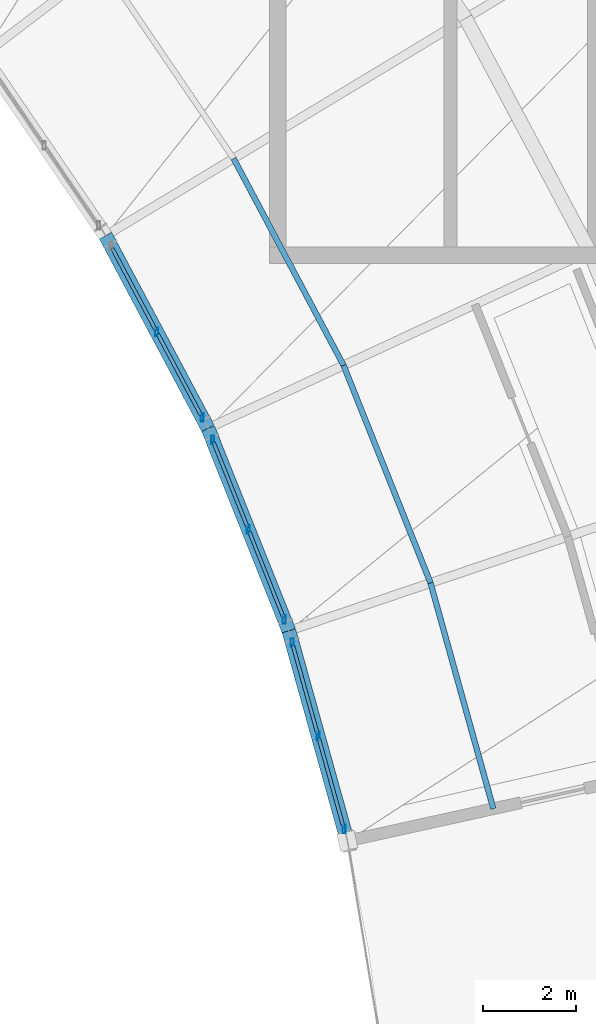
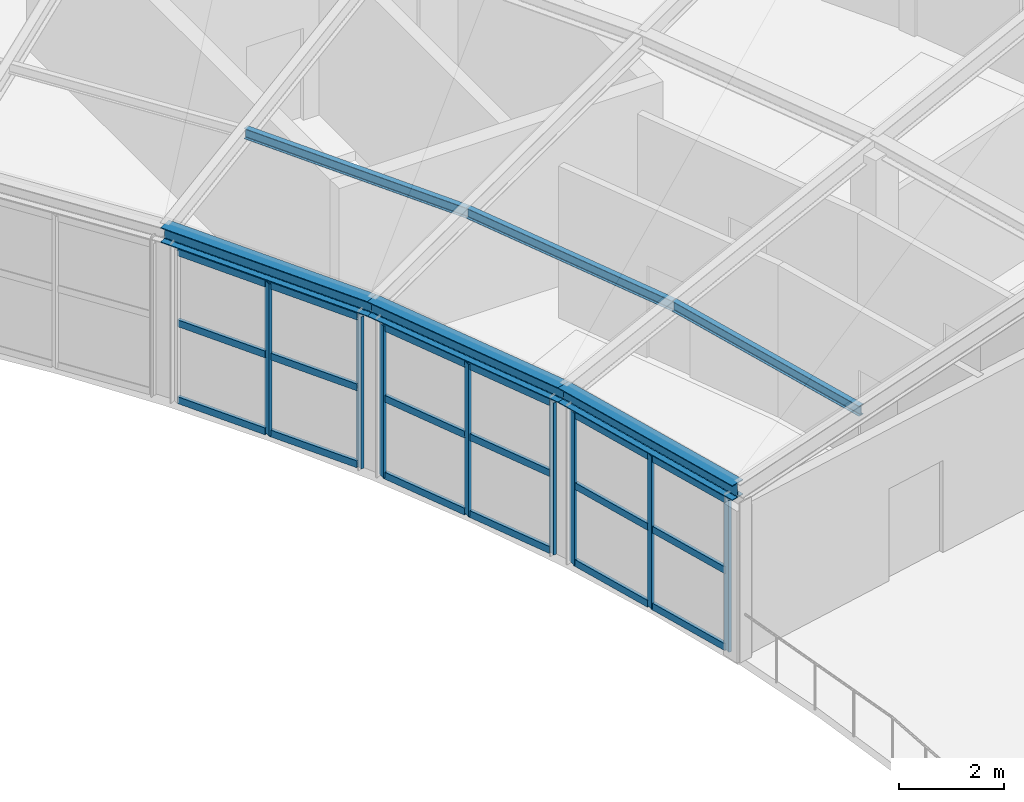
# One storey, part 12 of 36: 29 members, 3 beams, 3 elements without a shape of their own.
"""IFC4 building model written with IfcOpenShell, lengths in metres."""

from ifc_helpers import new_model, si_unit, direction, frame, origin, origin_2d, place, context, subcontext, project, spatial, hollow_rectangle, i_section, extrude, material, material_profile, profile_set, type_object, element, aggregate, save


model = new_model("IFC4")

# Units and contexts
model_context = context("Model", 3, precision=1e-05, world=origin(), true_north=direction((0.0, 1.0)))
body_context = subcontext(model_context, "Body", "Model", "MODEL_VIEW")
ifc_project = project(units=[si_unit("LENGTHUNIT", "METRE"), si_unit("AREAUNIT", "SQUARE_METRE"), si_unit("VOLUMEUNIT", "CUBIC_METRE"), si_unit("PLANEANGLEUNIT", "RADIAN"), si_unit("MASSUNIT", "GRAM", prefix="KILO")], contexts=[model_context])

# Site, building, storey
site_placement = place(None, origin())
site = spatial("IfcSite", under=ifc_project, at=site_placement, CompositionType="ELEMENT")
building_placement = place(site_placement, origin())
building = spatial("IfcBuilding", under=site, at=building_placement, Name="Tarnveldt Headland Concert Hall", CompositionType="ELEMENT")
storey_placement = place(building_placement, frame((0.0, 0.0, 22.800048828125)))
storey = spatial("IfcBuildingStorey", under=building, at=storey_placement, Name="L05", CompositionType="ELEMENT", Elevation=22.800048828125)

# Curtain wall, members
ifc_material_1 = material(Name="Marine-anodised aluminium EN AW-6063-T6", Category="aluminium")
curtain_wall_type = type_object("IfcCurtainWallType", Name="CW-C6", PredefinedType="NOTDEFINED", material=ifc_material_1)
curtain_wall_1_placement = place(storey_placement, origin())
curtain_wall_1 = element("IfcCurtainWall", 1, at=curtain_wall_1_placement, inside=storey, type_object=curtain_wall_type, Name="Curtain wall CW-L05-156", PredefinedType="NOTDEFINED")
ifc_material_profile_1 = material_profile(ifc_material_1, hollow_rectangle(XDim=0.06494140625, YDim=0.179931640625, WallThickness=0.00390625, at=origin_2d()), Name="ALU MULLION 65x180x4", Category="aluminium")
ifc_profile_set_1 = profile_set([ifc_material_profile_1], Name="Marine-anodised aluminium EN AW-6063-T6")
member_type_1 = type_object("IfcMemberType", Name="ML-180", PredefinedType="MULLION", material=ifc_profile_set_1)
member_1_placement = place(storey_placement, frame((159.418701171875, 69.521484375, 0.0), z_axis=(0.0, 0.0, 1.0), x_axis=(1.0, 0.0, 0.0)))
member_1 = element("IfcMember", 2, at=member_1_placement, type_object=member_type_1, Name="Mullion CW-L05-156-1", PredefinedType="MULLION", context=body_context, shape_type="SweptSolid", body=[
    extrude(hollow_rectangle(XDim=0.06494140625, YDim=0.179931640625, WallThickness=0.00390625, at=origin_2d()), origin(), (0.0, 0.0, 1.0), 3.550048828125),
])
member_2_placement = place(storey_placement, frame((158.864013671875, 71.514404296875, 0.0), z_axis=(0.0, 0.0, 1.0), x_axis=(1.0, 0.0, 0.0)))
member_2 = element("IfcMember", 3, at=member_2_placement, type_object=member_type_1, Name="Mullion CW-L05-156-2", PredefinedType="MULLION", context=body_context, shape_type="SweptSolid", body=[
    extrude(hollow_rectangle(XDim=0.06494140625, YDim=0.179931640625, WallThickness=0.00390625, at=origin_2d()), origin(), (0.0, 0.0, 1.0), 3.550048828125),
])
member_3_placement = place(storey_placement, frame((158.30908203125, 73.50732421875, 0.0), z_axis=(0.0, 0.0, 1.0), x_axis=(1.0, 0.0, 0.0)))
member_3 = element("IfcMember", 4, at=member_3_placement, type_object=member_type_1, Name="Mullion CW-L05-156-3", PredefinedType="MULLION", context=body_context, shape_type="SweptSolid", body=[
    extrude(hollow_rectangle(XDim=0.06494140625, YDim=0.179931640625, WallThickness=0.00390625, at=origin_2d()), origin(), (0.0, 0.0, 1.0), 3.550048828125),
])

curtain_wall_2_placement = place(storey_placement, origin())
curtain_wall_2 = element("IfcCurtainWall", 5, at=curtain_wall_2_placement, inside=storey, type_object=curtain_wall_type, Name="Curtain wall CW-L05-157", PredefinedType="NOTDEFINED")
member_4_placement = place(storey_placement, frame((158.139892578125, 74.0087890625, 0.0), z_axis=(0.0, 0.0, 1.0), x_axis=(1.0, 0.0, 0.0)))
member_4 = element("IfcMember", 6, at=member_4_placement, type_object=member_type_1, Name="Mullion CW-L05-157-1", PredefinedType="MULLION", context=body_context, shape_type="SweptSolid", body=[
    extrude(hollow_rectangle(XDim=0.06494140625, YDim=0.179931640625, WallThickness=0.00390625, at=origin_2d()), origin(), (0.0, 0.0, 1.0), 3.550048828125),
])
member_5_placement = place(storey_placement, frame((157.372314453125, 75.9296875, 0.0), z_axis=(0.0, 0.0, 1.0), x_axis=(1.0, 0.0, 0.0)))
member_5 = element("IfcMember", 7, at=member_5_placement, type_object=member_type_1, Name="Mullion CW-L05-157-2", PredefinedType="MULLION", context=body_context, shape_type="SweptSolid", body=[
    extrude(hollow_rectangle(XDim=0.06494140625, YDim=0.179931640625, WallThickness=0.00390625, at=origin_2d()), origin(), (0.0, 0.0, 1.0), 3.550048828125),
])
member_6_placement = place(storey_placement, frame((156.604736328125, 77.850830078125, 0.0), z_axis=(0.0, 0.0, 1.0), x_axis=(1.0, 0.0, 0.0)))
member_6 = element("IfcMember", 8, at=member_6_placement, type_object=member_type_1, Name="Mullion CW-L05-157-3", PredefinedType="MULLION", context=body_context, shape_type="SweptSolid", body=[
    extrude(hollow_rectangle(XDim=0.06494140625, YDim=0.179931640625, WallThickness=0.00390625, at=origin_2d()), origin(), (0.0, 0.0, 1.0), 3.550048828125),
])

curtain_wall_3_placement = place(storey_placement, origin())
curtain_wall_3 = element("IfcCurtainWall", 9, at=curtain_wall_3_placement, inside=storey, type_object=curtain_wall_type, Name="Curtain wall CW-L05-158", PredefinedType="NOTDEFINED")
member_7_placement = place(storey_placement, frame((156.382080078125, 78.3310546875, 0.0), z_axis=(0.0, 0.0, 1.0), x_axis=(1.0, 0.0, 0.0)))
member_7 = element("IfcMember", 10, at=member_7_placement, type_object=member_type_1, Name="Mullion CW-L05-158-1", PredefinedType="MULLION", context=body_context, shape_type="SweptSolid", body=[
    extrude(hollow_rectangle(XDim=0.06494140625, YDim=0.179931640625, WallThickness=0.00390625, at=origin_2d()), origin(), (0.0, 0.0, 1.0), 3.550048828125),
])
member_8_placement = place(storey_placement, frame((155.410888671875, 80.15771484375, 0.0), z_axis=(0.0, 0.0, 1.0), x_axis=(1.0, 0.0, 0.0)))
member_8 = element("IfcMember", 11, at=member_8_placement, type_object=member_type_1, Name="Mullion CW-L05-158-2", PredefinedType="MULLION", context=body_context, shape_type="SweptSolid", body=[
    extrude(hollow_rectangle(XDim=0.06494140625, YDim=0.179931640625, WallThickness=0.00390625, at=origin_2d()), origin(), (0.0, 0.0, 1.0), 3.550048828125),
])

# Members
ifc_material_2 = material(Name="Steel S355", Category="steel")
ifc_material_profile_2 = material_profile(ifc_material_2, i_section(OverallWidth=0.1201171875, OverallDepth=0.239990234375, WebThickness=0.006103515625, FlangeThickness=0.009765625, FilletRadius=0.014892578125, at=origin_2d()), Name="IPE240", Category="steel")
ifc_profile_set_2 = profile_set([ifc_material_profile_2], Name="Steel S355")
member_type_2 = type_object("IfcMemberType", Name="PR-IPE240", PredefinedType="PURLIN", material=ifc_profile_set_2)
for number, where, z_axis, x_axis, name in (
    (12, (162.614501953125, 69.955810546875, 4.2080078125), (-0.268156062951, 0.963375485417, 0.0), (-0.963375485417, -0.268156062951, 0.0), "Crescent roof purlin 11-46"),
    (13, (161.269775390625, 74.786865234375, 4.2080078125), (-0.371029706488, 0.928620997449, 0.0), (-0.928620997449, -0.371029706488, 0.0), "Crescent roof purlin 12-46"),
):
    element("IfcMember", number, at=place(storey_placement, frame(where, z_axis=z_axis, x_axis=x_axis)), inside=storey, type_object=member_type_2, Name=name, PredefinedType="PURLIN", context=body_context, shape_type="SweptSolid", body=[
        extrude(i_section(OverallWidth=0.1201171875, OverallDepth=0.239990234375, WebThickness=0.006103515625, FlangeThickness=0.009765625, FilletRadius=0.014892578125, at=origin_2d()), origin(), (0.0, 0.0, 1.0), 5.0146484375),
    ])
member_9_placement = place(storey_placement, frame((159.4091796875, 79.443603515625, 4.2080078125), z_axis=(-0.469448260958, 0.882959982266, 0.0), x_axis=(-0.882959982266, -0.469448260958, 0.0)))
element("IfcMember", 14, at=member_9_placement, inside=storey, type_object=member_type_2, Name="Crescent roof purlin 13-46", PredefinedType="PURLIN", context=body_context, shape_type="SweptSolid", body=[
    extrude(i_section(OverallWidth=0.1201171875, OverallDepth=0.239990234375, WebThickness=0.006103515625, FlangeThickness=0.009765625, FilletRadius=0.014892578125, at=origin_2d()), origin(), (0.0, 0.0, 1.0), 5.014892578125),
])

# Beams
ifc_material_profile_3 = material_profile(ifc_material_2, i_section(OverallWidth=0.300048828125, OverallDepth=0.35009765625, WebThickness=0.010009765625, FlangeThickness=0.017578125, FilletRadius=0.027099609375, at=origin_2d()), Name="HEA360", Category="steel")
ifc_profile_set_3 = profile_set([ifc_material_profile_3], Name="Steel S355")
beam_type = type_object("IfcBeamType", Name="SB-HEA360", PredefinedType="SPANDREL", material=ifc_profile_set_3)
for number, where, z_axis, x_axis, name in (
    (15, (159.48974609375, 69.26611328125, 3.85498046875), (-0.268172578135, 0.963370888255, 0.0), (-0.963370888255, -0.268172578135, 0.0), "Crescent L05 IN eaves girder 11"),
    (16, (158.238037109375, 73.7626953125, 3.85498046875), (-0.371020883216, 0.928624522731, 0.0), (-0.928624522731, -0.371020883216, 0.0), "Crescent L05 IN eaves girder 12"),
    (17, (156.50634765625, 78.096923828125, 3.85498046875), (-0.469461155726, 0.882953126312, 0.0), (-0.882953126312, -0.469461155726, 0.0), "Crescent L05 IN eaves girder 13"),
):
    element("IfcBeam", number, at=place(storey_placement, frame(where, z_axis=z_axis, x_axis=x_axis)), inside=storey, type_object=beam_type, Name=name, PredefinedType="SPANDREL", context=body_context, shape_type="SweptSolid", body=[
        extrude(i_section(OverallWidth=0.300048828125, OverallDepth=0.35009765625, WebThickness=0.010009765625, FlangeThickness=0.017578125, FilletRadius=0.027099609375, at=origin_2d()), origin(), (0.0, 0.0, 1.0), 4.66748046875),
    ])

# Member
ifc_material_profile_4 = material_profile(ifc_material_1, hollow_rectangle(XDim=0.074951171875, YDim=0.159912109375, WallThickness=0.00390625, at=origin_2d()), Name="ALU TRANSOM 75x160x4", Category="aluminium")
ifc_profile_set_4 = profile_set([ifc_material_profile_4], Name="Marine-anodised aluminium EN AW-6063-T6")
member_type_3 = type_object("IfcMemberType", Name="TR-160", PredefinedType="MEMBER", material=ifc_profile_set_4)
member_10_placement = place(storey_placement, frame((159.40673828125, 69.564453125, 0.050048828125), z_axis=(-0.268216237335, 0.963358733821, 0.0), x_axis=(-0.963358733821, -0.268216237335, 0.0)))
member_10 = element("IfcMember", 18, at=member_10_placement, type_object=member_type_3, Name="Transom CW-L05-156-1-1", PredefinedType="MEMBER", context=body_context, shape_type="SweptSolid", body=[
    extrude(hollow_rectangle(XDim=0.074951171875, YDim=0.159912109375, WallThickness=0.00390625, at=origin_2d()), origin(), (0.0, 0.0, 1.0), 1.979736328125),
])

member_11_placement = place(storey_placement, frame((159.40673828125, 69.564453125, 1.845947265625), z_axis=(-0.268216237335, 0.963358733821, 0.0), x_axis=(-0.963358733821, -0.268216237335, 0.0)))
member_11 = element("IfcMember", 19, at=member_11_placement, type_object=member_type_3, Name="Transom CW-L05-156-1-2", PredefinedType="MEMBER", context=body_context, shape_type="SweptSolid", body=[
    extrude(hollow_rectangle(XDim=0.074951171875, YDim=0.159912109375, WallThickness=0.00390625, at=origin_2d()), origin(), (0.0, 0.0, 1.0), 1.979736328125),
])

member_12_placement = place(storey_placement, frame((159.40673828125, 69.564453125, 3.5), z_axis=(-0.268216237335, 0.963358733821, 0.0), x_axis=(-0.963358733821, -0.268216237335, 0.0)))
member_12 = element("IfcMember", 20, at=member_12_placement, type_object=member_type_3, Name="Transom CW-L05-156-1-3", PredefinedType="MEMBER", context=body_context, shape_type="SweptSolid", body=[
    extrude(hollow_rectangle(XDim=0.074951171875, YDim=0.159912109375, WallThickness=0.00390625, at=origin_2d()), origin(), (0.0, 0.0, 1.0), 1.979736328125),
])

member_13_placement = place(storey_placement, frame((158.85205078125, 71.557373046875, 0.050048828125), z_axis=(-0.268216237335, 0.963358733821, 0.0), x_axis=(-0.963358733821, -0.268216237335, 0.0)))
member_13 = element("IfcMember", 21, at=member_13_placement, type_object=member_type_3, Name="Transom CW-L05-156-2-1", PredefinedType="MEMBER", context=body_context, shape_type="SweptSolid", body=[
    extrude(hollow_rectangle(XDim=0.074951171875, YDim=0.159912109375, WallThickness=0.00390625, at=origin_2d()), origin(), (0.0, 0.0, 1.0), 1.979736328125),
])

member_14_placement = place(storey_placement, frame((158.85205078125, 71.557373046875, 1.845947265625), z_axis=(-0.268216237335, 0.963358733821, 0.0), x_axis=(-0.963358733821, -0.268216237335, 0.0)))
member_14 = element("IfcMember", 22, at=member_14_placement, type_object=member_type_3, Name="Transom CW-L05-156-2-2", PredefinedType="MEMBER", context=body_context, shape_type="SweptSolid", body=[
    extrude(hollow_rectangle(XDim=0.074951171875, YDim=0.159912109375, WallThickness=0.00390625, at=origin_2d()), origin(), (0.0, 0.0, 1.0), 1.979736328125),
])

member_15_placement = place(storey_placement, frame((158.85205078125, 71.557373046875, 3.5), z_axis=(-0.268216237335, 0.963358733821, 0.0), x_axis=(-0.963358733821, -0.268216237335, 0.0)))
member_15 = element("IfcMember", 23, at=member_15_placement, type_object=member_type_3, Name="Transom CW-L05-156-2-3", PredefinedType="MEMBER", context=body_context, shape_type="SweptSolid", body=[
    extrude(hollow_rectangle(XDim=0.074951171875, YDim=0.159912109375, WallThickness=0.00390625, at=origin_2d()), origin(), (0.0, 0.0, 1.0), 1.979736328125),
])

aggregate(curtain_wall_1, [member_1, member_2, member_3, member_10, member_11, member_12, member_13, member_14, member_15])

member_16_placement = place(storey_placement, frame((158.123291015625, 74.050048828125, 0.050048828125), z_axis=(-0.370965374451, 0.928646698674, 0.0), x_axis=(-0.928646698674, -0.370965374451, 0.0)))
member_16 = element("IfcMember", 24, at=member_16_placement, type_object=member_type_3, Name="Transom CW-L05-157-1-1", PredefinedType="MEMBER", context=body_context, shape_type="SweptSolid", body=[
    extrude(hollow_rectangle(XDim=0.074951171875, YDim=0.159912109375, WallThickness=0.00390625, at=origin_2d()), origin(), (0.0, 0.0, 1.0), 1.979736328125),
])

member_17_placement = place(storey_placement, frame((158.123291015625, 74.050048828125, 1.845947265625), z_axis=(-0.370965374451, 0.928646698674, 0.0), x_axis=(-0.928646698674, -0.370965374451, 0.0)))
member_17 = element("IfcMember", 25, at=member_17_placement, type_object=member_type_3, Name="Transom CW-L05-157-1-2", PredefinedType="MEMBER", context=body_context, shape_type="SweptSolid", body=[
    extrude(hollow_rectangle(XDim=0.074951171875, YDim=0.159912109375, WallThickness=0.00390625, at=origin_2d()), origin(), (0.0, 0.0, 1.0), 1.979736328125),
])

member_18_placement = place(storey_placement, frame((158.123291015625, 74.050048828125, 3.5), z_axis=(-0.370965374451, 0.928646698674, 0.0), x_axis=(-0.928646698674, -0.370965374451, 0.0)))
member_18 = element("IfcMember", 26, at=member_18_placement, type_object=member_type_3, Name="Transom CW-L05-157-1-3", PredefinedType="MEMBER", context=body_context, shape_type="SweptSolid", body=[
    extrude(hollow_rectangle(XDim=0.074951171875, YDim=0.159912109375, WallThickness=0.00390625, at=origin_2d()), origin(), (0.0, 0.0, 1.0), 1.979736328125),
])

member_19_placement = place(storey_placement, frame((157.355712890625, 75.97119140625, 0.050048828125), z_axis=(-0.371071721826, 0.928604209155, 0.0), x_axis=(-0.928604209155, -0.371071721826, 0.0)))
member_19 = element("IfcMember", 27, at=member_19_placement, type_object=member_type_3, Name="Transom CW-L05-157-2-1", PredefinedType="MEMBER", context=body_context, shape_type="SweptSolid", body=[
    extrude(hollow_rectangle(XDim=0.074951171875, YDim=0.159912109375, WallThickness=0.00390625, at=origin_2d()), origin(), (0.0, 0.0, 1.0), 1.979736328125),
])

member_20_placement = place(storey_placement, frame((157.355712890625, 75.97119140625, 1.845947265625), z_axis=(-0.371071721826, 0.928604209155, 0.0), x_axis=(-0.928604209155, -0.371071721826, 0.0)))
member_20 = element("IfcMember", 28, at=member_20_placement, type_object=member_type_3, Name="Transom CW-L05-157-2-2", PredefinedType="MEMBER", context=body_context, shape_type="SweptSolid", body=[
    extrude(hollow_rectangle(XDim=0.074951171875, YDim=0.159912109375, WallThickness=0.00390625, at=origin_2d()), origin(), (0.0, 0.0, 1.0), 1.979736328125),
])

member_21_placement = place(storey_placement, frame((157.355712890625, 75.97119140625, 3.5), z_axis=(-0.371071721826, 0.928604209155, 0.0), x_axis=(-0.928604209155, -0.371071721826, 0.0)))
member_21 = element("IfcMember", 29, at=member_21_placement, type_object=member_type_3, Name="Transom CW-L05-157-2-3", PredefinedType="MEMBER", context=body_context, shape_type="SweptSolid", body=[
    extrude(hollow_rectangle(XDim=0.074951171875, YDim=0.159912109375, WallThickness=0.00390625, at=origin_2d()), origin(), (0.0, 0.0, 1.0), 1.979736328125),
])

aggregate(curtain_wall_2, [member_4, member_5, member_6, member_16, member_17, member_18, member_19, member_20, member_21])

member_22_placement = place(storey_placement, frame((156.361083984375, 78.370361328125, 0.050048828125), z_axis=(-0.4694677624, 0.88294961355, 0.0), x_axis=(-0.88294961355, -0.4694677624, 0.0)))
member_22 = element("IfcMember", 30, at=member_22_placement, type_object=member_type_3, Name="Transom CW-L05-158-1-1", PredefinedType="MEMBER", context=body_context, shape_type="SweptSolid", body=[
    extrude(hollow_rectangle(XDim=0.074951171875, YDim=0.159912109375, WallThickness=0.00390625, at=origin_2d()), origin(), (0.0, 0.0, 1.0), 1.979736328125),
])

member_23_placement = place(storey_placement, frame((156.361083984375, 78.370361328125, 1.845947265625), z_axis=(-0.4694677624, 0.88294961355, 0.0), x_axis=(-0.88294961355, -0.4694677624, 0.0)))
member_23 = element("IfcMember", 31, at=member_23_placement, type_object=member_type_3, Name="Transom CW-L05-158-1-2", PredefinedType="MEMBER", context=body_context, shape_type="SweptSolid", body=[
    extrude(hollow_rectangle(XDim=0.074951171875, YDim=0.159912109375, WallThickness=0.00390625, at=origin_2d()), origin(), (0.0, 0.0, 1.0), 1.979736328125),
])

member_24_placement = place(storey_placement, frame((156.361083984375, 78.370361328125, 3.5), z_axis=(-0.4694677624, 0.88294961355, 0.0), x_axis=(-0.88294961355, -0.4694677624, 0.0)))
member_24 = element("IfcMember", 32, at=member_24_placement, type_object=member_type_3, Name="Transom CW-L05-158-1-3", PredefinedType="MEMBER", context=body_context, shape_type="SweptSolid", body=[
    extrude(hollow_rectangle(XDim=0.074951171875, YDim=0.159912109375, WallThickness=0.00390625, at=origin_2d()), origin(), (0.0, 0.0, 1.0), 1.979736328125),
])

member_25_placement = place(storey_placement, frame((155.389892578125, 80.19677734375, 0.050048828125), z_axis=(-0.4694677624, 0.88294961355, 0.0), x_axis=(-0.88294961355, -0.4694677624, 0.0)))
member_25 = element("IfcMember", 33, at=member_25_placement, type_object=member_type_3, Name="Transom CW-L05-158-2-1", PredefinedType="MEMBER", context=body_context, shape_type="SweptSolid", body=[
    extrude(hollow_rectangle(XDim=0.074951171875, YDim=0.159912109375, WallThickness=0.00390625, at=origin_2d()), origin(), (0.0, 0.0, 1.0), 1.979736328125),
])

member_26_placement = place(storey_placement, frame((155.389892578125, 80.19677734375, 1.845947265625), z_axis=(-0.4694677624, 0.88294961355, 0.0), x_axis=(-0.88294961355, -0.4694677624, 0.0)))
member_26 = element("IfcMember", 34, at=member_26_placement, type_object=member_type_3, Name="Transom CW-L05-158-2-2", PredefinedType="MEMBER", context=body_context, shape_type="SweptSolid", body=[
    extrude(hollow_rectangle(XDim=0.074951171875, YDim=0.159912109375, WallThickness=0.00390625, at=origin_2d()), origin(), (0.0, 0.0, 1.0), 1.979736328125),
])

member_27_placement = place(storey_placement, frame((155.389892578125, 80.19677734375, 3.5), z_axis=(-0.4694677624, 0.88294961355, 0.0), x_axis=(-0.88294961355, -0.4694677624, 0.0)))
member_27 = element("IfcMember", 35, at=member_27_placement, type_object=member_type_3, Name="Transom CW-L05-158-2-3", PredefinedType="MEMBER", context=body_context, shape_type="SweptSolid", body=[
    extrude(hollow_rectangle(XDim=0.074951171875, YDim=0.159912109375, WallThickness=0.00390625, at=origin_2d()), origin(), (0.0, 0.0, 1.0), 1.979736328125),
])

aggregate(curtain_wall_3, [member_7, member_8, member_22, member_23, member_24, member_25, member_26, member_27])

save(model, "model.ifc")
